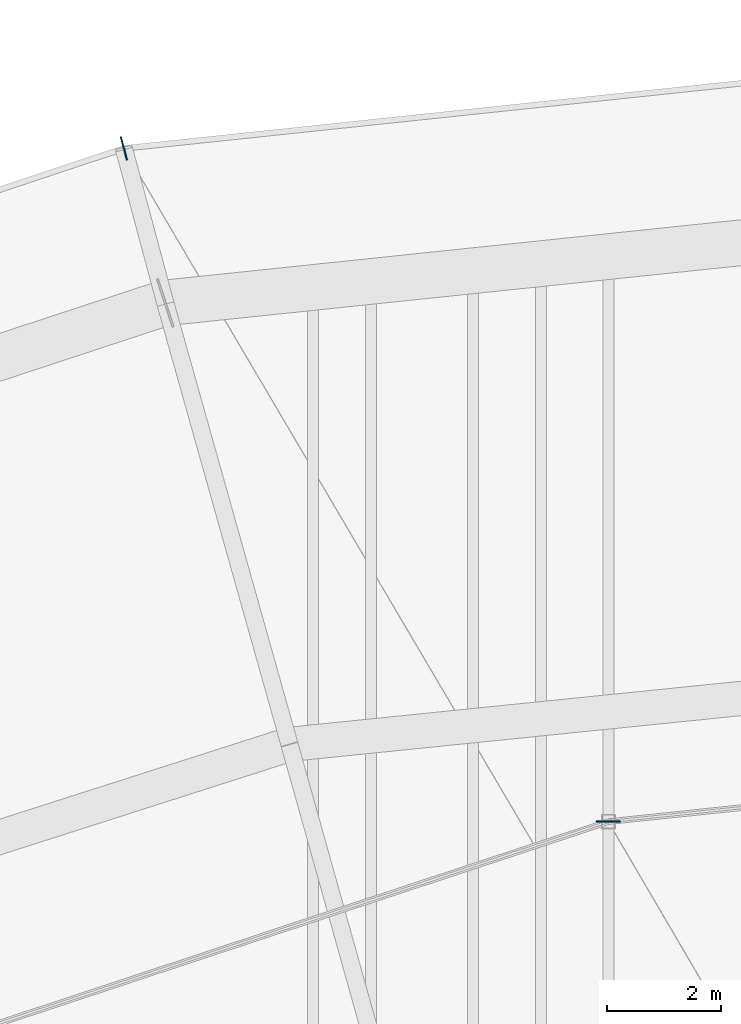
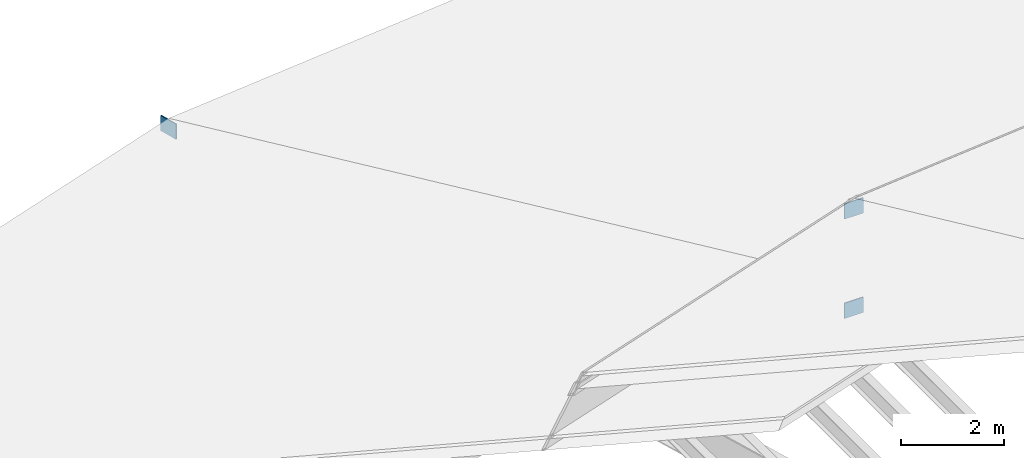
# One storey, part 174 of 184: 3 plates.
"""IFC4 building model written with IfcOpenShell, lengths in metres."""

from ifc_helpers import new_model, si_unit, direction, frame, origin, origin_2d, place, context, subcontext, project, spatial, rectangle, extrude, material, layer, layer_set, type_object, element, save


model = new_model("IFC4")

# Units and contexts
model_context = context("Model", 3, precision=1e-05, world=origin(), true_north=direction((0.0, 1.0)))
body_context = subcontext(model_context, "Body", "Model", "MODEL_VIEW")
ifc_project = project(units=[si_unit("LENGTHUNIT", "METRE"), si_unit("AREAUNIT", "SQUARE_METRE"), si_unit("VOLUMEUNIT", "CUBIC_METRE"), si_unit("PLANEANGLEUNIT", "RADIAN"), si_unit("MASSUNIT", "GRAM", prefix="KILO")], contexts=[model_context])

# Site, building, storey
site_placement = place(None, origin())
site = spatial("IfcSite", under=ifc_project, at=site_placement, CompositionType="ELEMENT")
building_placement = place(site_placement, origin())
building = spatial("IfcBuilding", under=site, at=building_placement, Name="Kalgoora Escarpment Arena", CompositionType="ELEMENT")
storey_placement = place(building_placement, frame((0.0, 0.0, 27.60009765625)))
storey = spatial("IfcBuildingStorey", under=building, at=storey_placement, Name="Roof Level", CompositionType="ELEMENT", Elevation=27.60009765625)

# Plates
ifc_material = material(Name="Structural steel Grade 350 (350 MPa)", Category="steel")
ifc_layer = layer(ifc_material, 0.02490234375)
ifc_layer_set = layer_set([ifc_layer], Name="PLT-GUSSET-25")
plate_type = type_object("IfcPlateType", Name="PLT-GUSSET-25", PredefinedType="USERDEFINED", material=ifc_layer_set)
for number, where, z_axis, x_axis, name in (
    (1, (73.092041015625, 121.762451171875, -1.18017578125), (0.0, 0.0, 1.0), (-0.258819045103, 0.965925826289, 0.0), "Brace and post end gusset plate 162"),
    (2, (81.574462890625, 109.97802734375, -1.26025390625), (0.0, 0.0, 1.0), (1.0, 0.0, 0.0), "Brace and post end gusset plate 193"),
    (3, (81.574462890625, 109.97802734375, 1.0849609375), (0.0, 0.0, 1.0), (1.0, 0.0, 0.0), "Brace and post end gusset plate 194"),
):
    element("IfcPlate", number, at=place(storey_placement, frame(where, z_axis=z_axis, x_axis=x_axis)), inside=storey, type_object=plate_type, Name=name, ObjectType="FLANGE PLATE", PredefinedType="USERDEFINED", context=body_context, shape_type="SweptSolid", body=[
        extrude(rectangle(XDim=0.419921875, YDim=0.02490234375, at=origin_2d()), origin(), (0.0, 0.0, 1.0), 0.360107421875),
    ])

save(model, "model.ifc")
